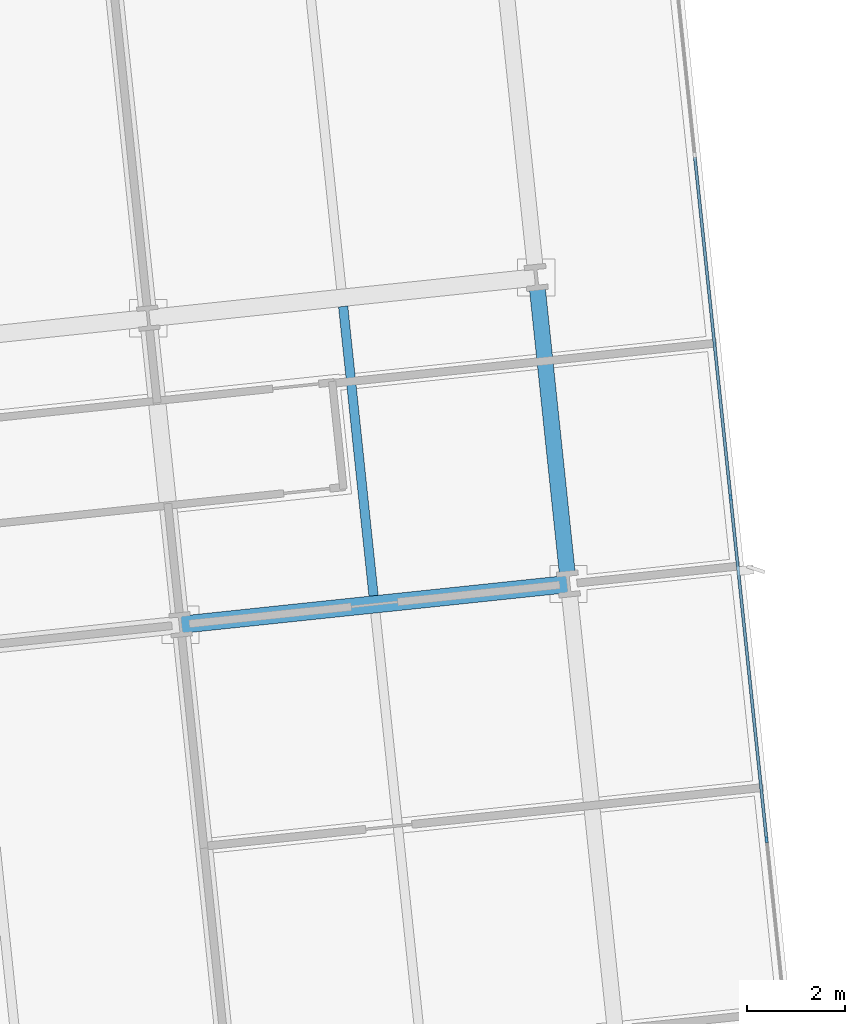
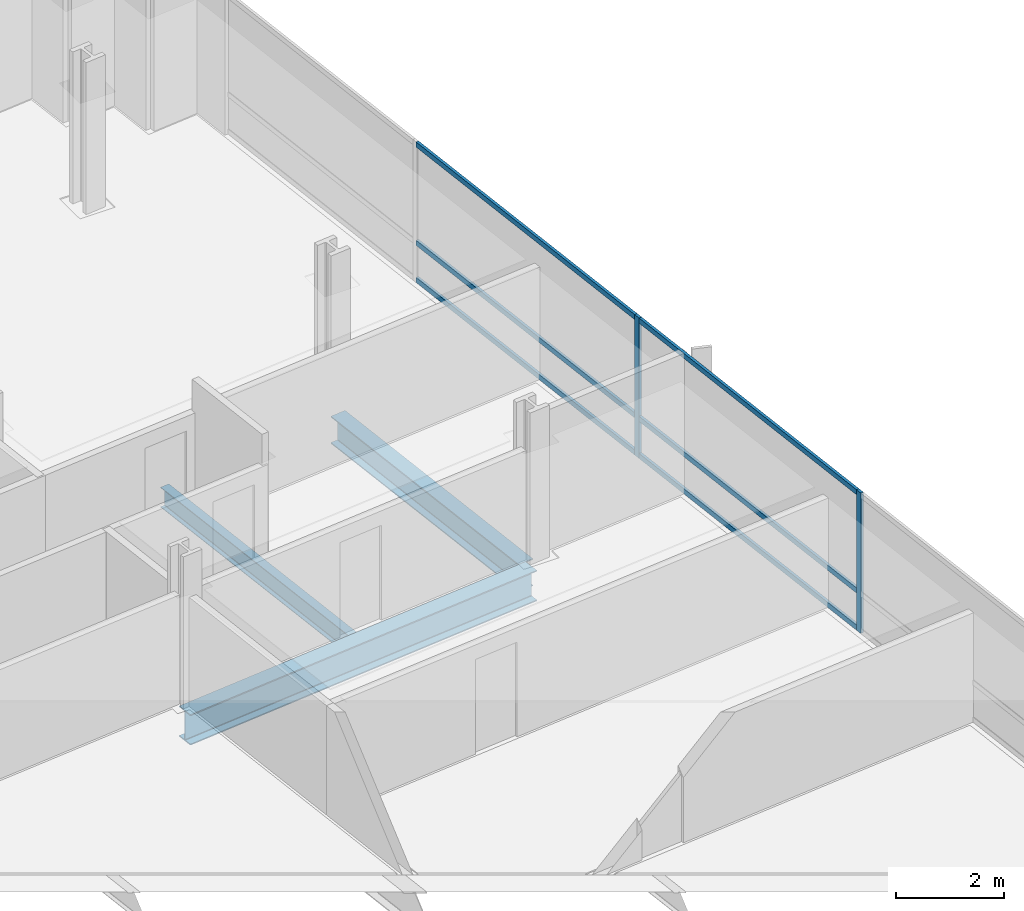
# One storey, part 8 of 21: 8 members, 3 beams, 1 element without a shape of its own.
"""IFC4 building model written with IfcOpenShell, lengths in metres."""

from ifc_helpers import new_model, si_unit, direction, frame, origin, origin_2d, place, context, subcontext, project, spatial, rectangle, i_section, extrude, material, material_profile, profile_set, type_object, element, aggregate, save


model = new_model("IFC4")

# Units and contexts
model_context = context("Model", 3, precision=1e-05, world=origin(), true_north=direction((0.0, 1.0)))
body_context = subcontext(model_context, "Body", "Model", "MODEL_VIEW")
ifc_project = project(units=[si_unit("LENGTHUNIT", "METRE"), si_unit("AREAUNIT", "SQUARE_METRE"), si_unit("VOLUMEUNIT", "CUBIC_METRE"), si_unit("PLANEANGLEUNIT", "RADIAN"), si_unit("MASSUNIT", "GRAM", prefix="KILO")], contexts=[model_context])

# Site, building, storey
site_placement = place(None, origin())
site = spatial("IfcSite", under=ifc_project, at=site_placement, CompositionType="ELEMENT")
building_placement = place(site_placement, origin())
building = spatial("IfcBuilding", under=site, at=building_placement, Name="Solmavex Isthmus Hotel", CompositionType="ELEMENT")
storey_placement = place(building_placement, frame((0.0, 0.0, 106.35009765625)))
storey = spatial("IfcBuildingStorey", under=building, at=storey_placement, Name="L28", CompositionType="ELEMENT", Elevation=106.35009765625)

# Beams
ifc_material_1 = material(Name="Steel ASTM A992 Grade 50", Category="steel")
ifc_material_profile_1 = material_profile(ifc_material_1, i_section(OverallWidth=0.354736328125, OverallDepth=0.695556640625, WebThickness=0.015380859375, FlangeThickness=0.02490234375, FilletRadius=0.017822265625, at=origin_2d()), Name="W27X146")
ifc_profile_set_1 = profile_set([ifc_material_profile_1], Name="Steel ASTM A992 Grade 50")
beam_type_1 = type_object("IfcBeamType", Name="BM-BG-W27X146", PredefinedType="BEAM", material=ifc_profile_set_1)
beam_1_placement = place(storey_placement, frame((21.2197265625, 5.658447265625, -0.60791015625), z_axis=(0.994523402738, 0.104514120609, 0.0), x_axis=(-0.104514120609, 0.994523402738, 0.0)))
element("IfcBeam", 1, at=beam_1_placement, inside=storey, type_object=beam_type_1, Name="Floor Girder L28-UG12", PredefinedType="BEAM", context=body_context, shape_type="SweptSolid", body=[
    extrude(i_section(OverallWidth=0.354736328125, OverallDepth=0.695556640625, WebThickness=0.015380859375, FlangeThickness=0.02490234375, FilletRadius=0.017822265625, at=origin_2d()), origin(), (0.0, 0.0, 1.0), 7.968017578125),
])
ifc_material_profile_2 = material_profile(ifc_material_1, i_section(OverallWidth=0.1904296875, OverallDepth=0.456787109375, WebThickness=0.009033203125, FlangeThickness=0.014404296875, FilletRadius=0.0126953125, at=origin_2d()), Name="W18X50")
ifc_profile_set_2 = profile_set([ifc_material_profile_2], Name="Steel ASTM A992 Grade 50")
beam_type_2 = type_object("IfcBeamType", Name="BM-BJ-W18X50", PredefinedType="JOIST", material=ifc_profile_set_2)
beam_2_placement = place(storey_placement, frame((25.163330078125, 6.251220703125, -0.488525390625), z_axis=(-0.104505160346, 0.994524344328, 0.0), x_axis=(-0.994524344328, -0.104505160346, 0.0)))
element("IfcBeam", 2, at=beam_2_placement, inside=storey, type_object=beam_type_2, Name="Secondary Floor Joist L28-J20", PredefinedType="JOIST", context=body_context, shape_type="SweptSolid", body=[
    extrude(i_section(OverallWidth=0.1904296875, OverallDepth=0.456787109375, WebThickness=0.009033203125, FlangeThickness=0.014404296875, FilletRadius=0.0126953125, at=origin_2d()), origin(), (0.0, 0.0, 1.0), 5.943115234375),
])
ifc_material_profile_3 = material_profile(ifc_material_1, i_section(OverallWidth=0.326416015625, OverallDepth=0.621826171875, WebThickness=0.015380859375, FlangeThickness=0.0244140625, FilletRadius=0.01513671875, at=origin_2d()), Name="W24X131")
ifc_profile_set_3 = profile_set([ifc_material_profile_3], Name="Steel ASTM A992 Grade 50")
beam_type_3 = type_object("IfcBeamType", Name="BM-SP-W24X131", PredefinedType="SPANDREL", material=ifc_profile_set_3)
beam_3_placement = place(storey_placement, frame((29.12548828125, 6.667724609375, -0.571044921875), z_axis=(-0.104505160346, 0.994524344328, 0.0), x_axis=(-0.994524344328, -0.104505160346, 0.0)))
element("IfcBeam", 3, at=beam_3_placement, inside=storey, type_object=beam_type_3, Name="Floor Beam L28-VG47", PredefinedType="SPANDREL", context=body_context, shape_type="SweptSolid", body=[
    extrude(i_section(OverallWidth=0.326416015625, OverallDepth=0.621826171875, WebThickness=0.015380859375, FlangeThickness=0.0244140625, FilletRadius=0.01513671875, at=origin_2d()), origin(), (0.0, 0.0, 1.0), 5.943115234375),
])

# Curtain wall, members
ifc_material_2 = material(Name="Aluminium alloy 6063-T6", Category="aluminium")
curtain_wall_type = type_object("IfcCurtainWallType", Name="CW-SYS-06", PredefinedType="NOTDEFINED", material=ifc_material_2)
curtain_wall_placement = place(storey_placement, origin())
curtain_wall = element("IfcCurtainWall", 4, at=curtain_wall_placement, inside=storey, type_object=curtain_wall_type, Name="Stick Curtain Wall CWL-L28-E1", PredefinedType="NOTDEFINED")
ifc_material_profile_4 = material_profile(ifc_material_2, rectangle(XDim=0.06005859375, YDim=0.139892578125, at=origin_2d()), Name="CWM-60X140")
ifc_profile_set_4 = profile_set([ifc_material_profile_4], Name="Aluminium alloy 6063-T6")
member_type_1 = type_object("IfcMemberType", Name="CW-SYS-06-MUL", PredefinedType="MULLION", material=ifc_profile_set_4)
member_1_placement = place(storey_placement, frame((33.19140625, 1.275634765625, 0.0), z_axis=(0.0, 0.0, 1.0), x_axis=(-0.994521893044, -0.104528485381, 0.0)))
member_1 = element("IfcMember", 5, at=member_1_placement, type_object=member_type_1, Name="CW-06 mullion 3", PredefinedType="MULLION", context=body_context, shape_type="SweptSolid", body=[
    extrude(rectangle(XDim=0.06005859375, YDim=0.139892578125, at=origin_2d()), origin(), (0.0, 0.0, 1.0), 3.18994140625),
])
member_2_placement = place(storey_placement, frame((32.45751953125, 8.25732421875, 0.0), z_axis=(0.0, 0.0, 1.0), x_axis=(-0.994521893044, -0.104528485381, 0.0)))
member_2 = element("IfcMember", 6, at=member_2_placement, type_object=member_type_1, Name="CW-06 mullion 4", PredefinedType="MULLION", context=body_context, shape_type="SweptSolid", body=[
    extrude(rectangle(XDim=0.06005859375, YDim=0.139892578125, at=origin_2d()), origin(), (0.0, 0.0, 1.0), 3.18994140625),
])
ifc_material_profile_5 = material_profile(ifc_material_2, rectangle(XDim=0.06005859375, YDim=0.114990234375, at=origin_2d()), Name="CWT-60X115")
ifc_profile_set_5 = profile_set([ifc_material_profile_5], Name="Aluminium alloy 6063-T6")
member_type_2 = type_object("IfcMemberType", Name="CW-SYS-06-TRN", PredefinedType="USERDEFINED", material=ifc_profile_set_5)
member_3_placement = place(storey_placement, frame((33.188232421875, 1.3056640625, 0.057373046875), z_axis=(-0.104531402636, 0.994521586424, 0.0), x_axis=(-0.994521586424, -0.104531402636, 0.0)))
member_3 = element("IfcMember", 7, at=member_3_placement, type_object=member_type_2, Name="CW-06 transom 3.1", ObjectType="TRANSOM", PredefinedType="USERDEFINED", context=body_context, shape_type="SweptSolid", body=[
    extrude(rectangle(XDim=0.06005859375, YDim=0.114990234375, at=origin_2d()), origin(), (0.0, 0.0, 1.0), 6.9599609375),
])
member_4_placement = place(storey_placement, frame((33.188232421875, 1.3056640625, 0.89990234375), z_axis=(-0.104531402636, 0.994521586424, 0.0), x_axis=(-0.994521586424, -0.104531402636, 0.0)))
member_4 = element("IfcMember", 8, at=member_4_placement, type_object=member_type_2, Name="CW-06 transom 3.2", ObjectType="TRANSOM", PredefinedType="USERDEFINED", context=body_context, shape_type="SweptSolid", body=[
    extrude(rectangle(XDim=0.06005859375, YDim=0.114990234375, at=origin_2d()), origin(), (0.0, 0.0, 1.0), 6.9599609375),
])
member_5_placement = place(storey_placement, frame((33.188232421875, 1.3056640625, 3.13232421875), z_axis=(-0.104531402636, 0.994521586424, 0.0), x_axis=(-0.994521586424, -0.104531402636, 0.0)))
member_5 = element("IfcMember", 9, at=member_5_placement, type_object=member_type_2, Name="CW-06 transom 3.3", ObjectType="TRANSOM", PredefinedType="USERDEFINED", context=body_context, shape_type="SweptSolid", body=[
    extrude(rectangle(XDim=0.06005859375, YDim=0.114990234375, at=origin_2d()), origin(), (0.0, 0.0, 1.0), 6.9599609375),
])
member_6_placement = place(storey_placement, frame((32.45458984375, 8.287109375, 0.057373046875), z_axis=(-0.104531402636, 0.994521586424, 0.0), x_axis=(-0.994521586424, -0.104531402636, 0.0)))
member_6 = element("IfcMember", 10, at=member_6_placement, type_object=member_type_2, Name="CW-06 transom 4.1", ObjectType="TRANSOM", PredefinedType="USERDEFINED", context=body_context, shape_type="SweptSolid", body=[
    extrude(rectangle(XDim=0.06005859375, YDim=0.114990234375, at=origin_2d()), origin(), (0.0, 0.0, 1.0), 6.9599609375),
])
member_7_placement = place(storey_placement, frame((32.45458984375, 8.287109375, 0.89990234375), z_axis=(-0.104531402636, 0.994521586424, 0.0), x_axis=(-0.994521586424, -0.104531402636, 0.0)))
member_7 = element("IfcMember", 11, at=member_7_placement, type_object=member_type_2, Name="CW-06 transom 4.2", ObjectType="TRANSOM", PredefinedType="USERDEFINED", context=body_context, shape_type="SweptSolid", body=[
    extrude(rectangle(XDim=0.06005859375, YDim=0.114990234375, at=origin_2d()), origin(), (0.0, 0.0, 1.0), 6.9599609375),
])
member_8_placement = place(storey_placement, frame((32.45458984375, 8.287109375, 3.13232421875), z_axis=(-0.104531402636, 0.994521586424, 0.0), x_axis=(-0.994521586424, -0.104531402636, 0.0)))
member_8 = element("IfcMember", 12, at=member_8_placement, type_object=member_type_2, Name="CW-06 transom 4.3", ObjectType="TRANSOM", PredefinedType="USERDEFINED", context=body_context, shape_type="SweptSolid", body=[
    extrude(rectangle(XDim=0.06005859375, YDim=0.114990234375, at=origin_2d()), origin(), (0.0, 0.0, 1.0), 6.9599609375),
])
aggregate(curtain_wall, [member_1, member_2, member_3, member_4, member_5, member_6, member_7, member_8])

save(model, "model.ifc")
